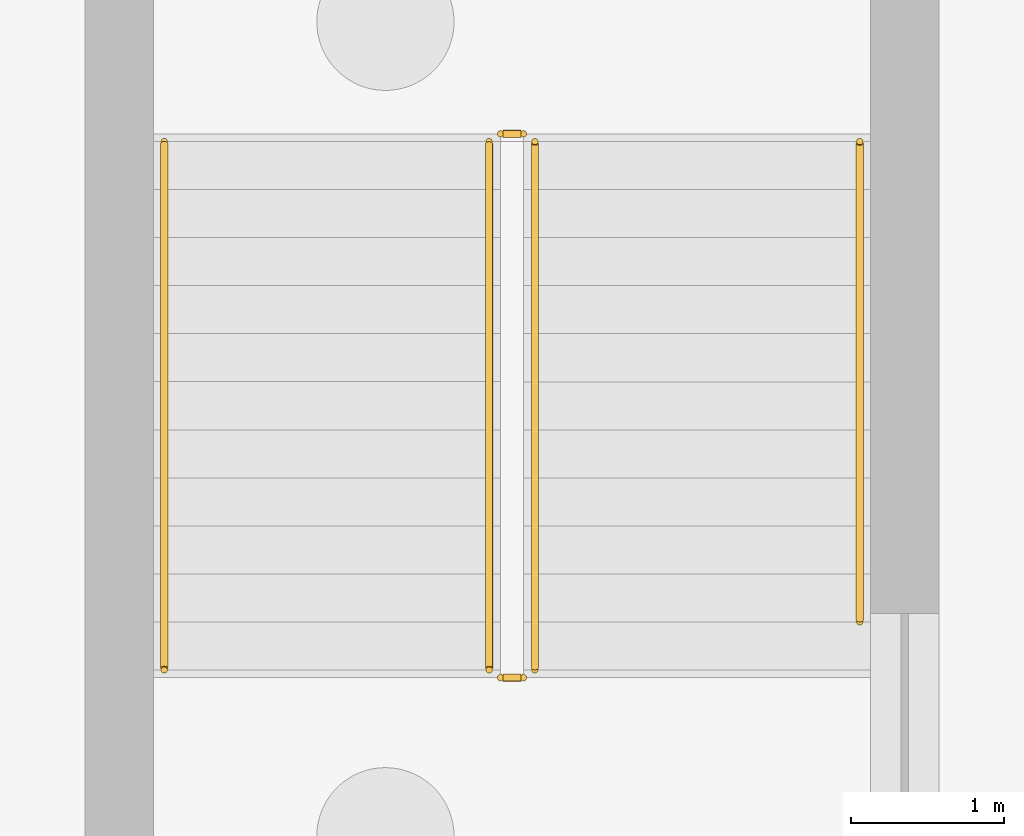
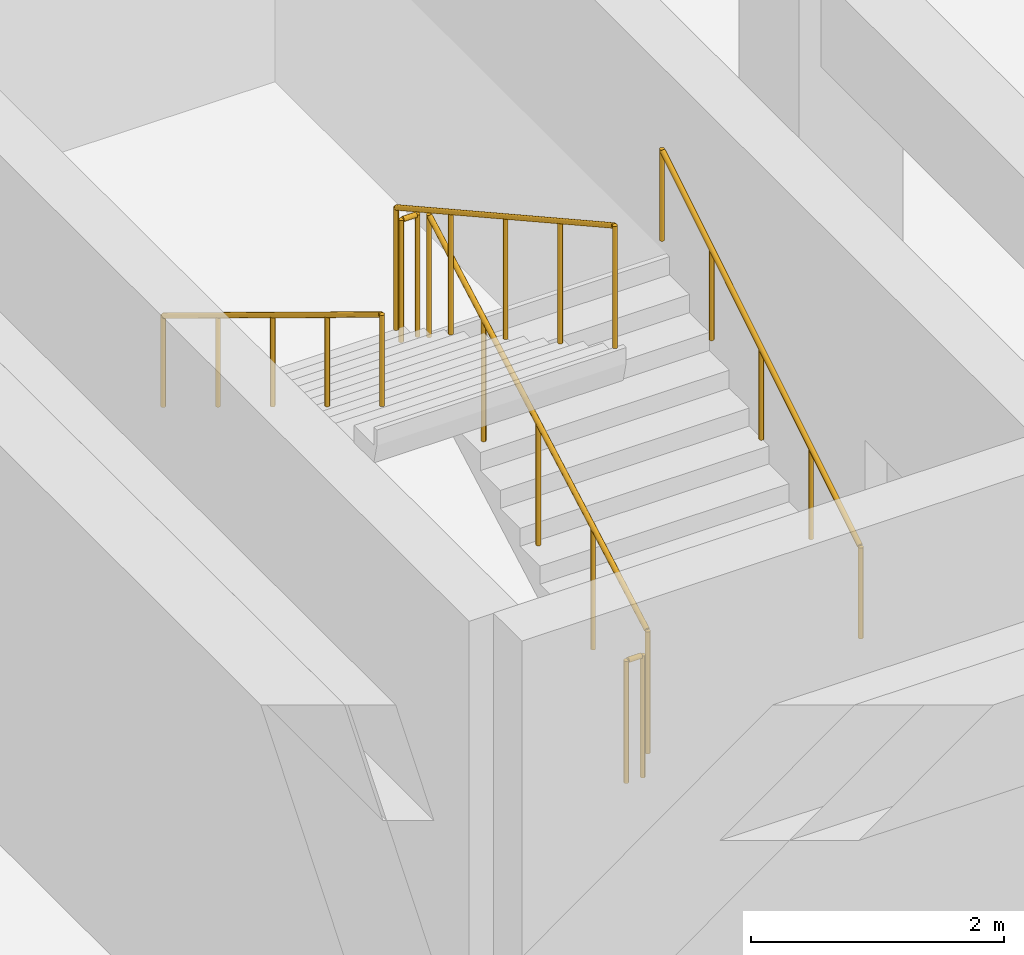
# One storey, part 26 of 39: 6 railings.
"""IFC4 building model written with IfcOpenShell, lengths in metres."""

from ifc_helpers import new_model, si_unit, direction, frame, origin, origin_2d, place, context, subcontext, project, spatial, circle, extrude, material, type_object, element, save


model = new_model("IFC4")

# Units and contexts
model_context = context("Model", 3, precision=1e-05, world=origin(), true_north=direction((0.0, 1.0)))
body_context = subcontext(model_context, "Body", "Model", "MODEL_VIEW")
ifc_project = project(units=[si_unit("LENGTHUNIT", "METRE"), si_unit("AREAUNIT", "SQUARE_METRE"), si_unit("VOLUMEUNIT", "CUBIC_METRE"), si_unit("PLANEANGLEUNIT", "RADIAN"), si_unit("MASSUNIT", "GRAM", prefix="KILO")], contexts=[model_context])

# Site, building, storey
site_placement = place(None, origin())
site = spatial("IfcSite", under=ifc_project, at=site_placement, CompositionType="ELEMENT")
building_placement = place(site_placement, origin())
building = spatial("IfcBuilding", under=site, at=building_placement, Name="Nakhvara Creek Congress Hotel", CompositionType="ELEMENT")
storey_placement = place(building_placement, frame((0.0, 0.0, -8.39990234375)))
storey = spatial("IfcBuildingStorey", under=building, at=storey_placement, Name="B2", CompositionType="ELEMENT", Elevation=-8.39990234375)

# Railings
ifc_material = material(Name="Brushed stainless steel 316L", Category="steel")
railing_type_1 = type_object("IfcRailingType", Name="RL-GUARD-1200", PredefinedType="GUARDRAIL", material=ifc_material)
railing_1_placement = place(storey_placement, frame((4.955078125, 38.679931640625, 0.1748046875)))
element("IfcRailing", 1, at=railing_1_placement, inside=storey, type_object=railing_type_1, Name="B2 ST05 stair guard 1", PredefinedType="GUARDRAIL", context=body_context, shape_type="SweptSolid", body=[
    extrude(circle(Radius=0.02392578125, at=origin_2d()), frame((0.0, 0.012939453125, 1.18310546875), z_axis=(0.0, 0.874157276122, 0.485642931179), x_axis=(-1.0, 0.0, 0.0)), (0.0, 0.0, 1.0), 3.9345703125),
    extrude(circle(Radius=0.02099609375, at=origin_2d()), origin(), (0.0, 0.0, 1.0), 1.1806640625),
    extrude(circle(Radius=0.02099609375, at=origin_2d()), frame((0.0, 0.8662109375, 0.481201171875)), (0.0, 0.0, 1.0), 1.1806640625),
    extrude(circle(Radius=0.02099609375, at=origin_2d()), frame((0.0, 1.732421875, 0.96240234375)), (0.0, 0.0, 1.0), 1.1806640625),
    extrude(circle(Radius=0.02099609375, at=origin_2d()), frame((0.0, 2.598876953125, 1.44384765625)), (0.0, 0.0, 1.0), 1.1806640625),
    extrude(circle(Radius=0.02099609375, at=origin_2d()), frame((0.0, 3.465087890625, 1.925048828125)), (0.0, 0.0, 1.0), 1.1806640625),
])
railing_2_placement = place(storey_placement, frame((4.8798828125, 42.195068359375, 2.099853515625)))
element("IfcRailing", 2, at=railing_2_placement, inside=storey, type_object=railing_type_1, Name="B2 ST05 stair guard 2", PredefinedType="GUARDRAIL", context=body_context, shape_type="SweptSolid", body=[
    extrude(circle(Radius=0.02392578125, at=origin_2d()), frame((-0.0146484375, 0.0, 1.17578125), z_axis=(-1.0, 0.0, 0.0), x_axis=(0.0, -1.0, 0.0)), (0.0, 0.0, 1.0), 0.12060546875),
    extrude(circle(Radius=0.02099609375, at=origin_2d()), origin(), (0.0, 0.0, 1.0), 1.1806640625),
    extrude(circle(Radius=0.02099609375, at=origin_2d()), frame((-0.14990234375, 0.0, 0.0)), (0.0, 0.0, 1.0), 1.1806640625),
])
railing_3_placement = place(storey_placement, frame((4.655029296875, 42.14501953125, 2.27490234375)))
element("IfcRailing", 3, at=railing_3_placement, inside=storey, type_object=railing_type_1, Name="B2 ST05 stair guard 3", PredefinedType="GUARDRAIL", context=body_context, shape_type="SweptSolid", body=[
    extrude(circle(Radius=0.02392578125, at=origin_2d()), frame((0.0, -0.012939453125, 1.18310546875), z_axis=(0.0, -0.874157276122, 0.485642931179), x_axis=(1.0, 0.0, 0.0)), (0.0, 0.0, 1.0), 3.9345703125),
    extrude(circle(Radius=0.02099609375, at=origin_2d()), origin(), (0.0, 0.0, 1.0), 1.1806640625),
    extrude(circle(Radius=0.02099609375, at=origin_2d()), frame((0.0, -0.8662109375, 0.481201171875)), (0.0, 0.0, 1.0), 1.1806640625),
    extrude(circle(Radius=0.02099609375, at=origin_2d()), frame((0.0, -1.732421875, 0.96240234375)), (0.0, 0.0, 1.0), 1.1806640625),
    extrude(circle(Radius=0.02099609375, at=origin_2d()), frame((0.0, -2.598876953125, 1.44384765625)), (0.0, 0.0, 1.0), 1.1806640625),
    extrude(circle(Radius=0.02099609375, at=origin_2d()), frame((0.0, -3.465087890625, 1.925048828125)), (0.0, 0.0, 1.0), 1.1806640625),
])
railing_4_placement = place(storey_placement, frame((4.8798828125, 38.6298828125, 0.0)))
element("IfcRailing", 4, at=railing_4_placement, inside=storey, type_object=railing_type_1, Name="B2 ST05 stair guard 4", PredefinedType="GUARDRAIL", context=body_context, shape_type="SweptSolid", body=[
    extrude(circle(Radius=0.02392578125, at=origin_2d()), frame((-0.0146484375, 0.0, 1.17578125), z_axis=(-1.0, 0.0, 0.0), x_axis=(0.0, -1.0, 0.0)), (0.0, 0.0, 1.0), 0.12060546875),
    extrude(circle(Radius=0.02099609375, at=origin_2d()), origin(), (0.0, 0.0, 1.0), 1.1806640625),
    extrude(circle(Radius=0.02099609375, at=origin_2d()), frame((-0.14990234375, 0.0, 0.0)), (0.0, 0.0, 1.0), 1.1806640625),
])
railing_type_2 = type_object("IfcRailingType", Name="RL-HAND-900", PredefinedType="HANDRAIL", material=ifc_material)
railing_5_placement = place(storey_placement, frame((7.0849609375, 38.9951171875, 0.349853515625)))
element("IfcRailing", 5, at=railing_5_placement, inside=storey, type_object=railing_type_2, Name="B2 ST05 stair handrail 1", PredefinedType="HANDRAIL", context=body_context, shape_type="SweptSolid", body=[
    extrude(circle(Radius=0.02392578125, at=origin_2d()), frame((0.0, 0.012451171875, 0.883544921875), z_axis=(0.0, 0.85194385619, 0.523633140567), x_axis=(-1.0, 0.0, 0.0)), (0.0, 0.0, 1.0), 3.66796875),
    extrude(circle(Radius=0.02099609375, at=origin_2d()), origin(), (0.0, 0.0, 1.0), 0.880615234375),
    extrude(circle(Radius=0.02099609375, at=origin_2d()), frame((0.0, 0.78759765625, 0.48388671875)), (0.0, 0.0, 1.0), 0.880615234375),
    extrude(circle(Radius=0.02099609375, at=origin_2d()), frame((0.0, 1.574951171875, 0.968017578125)), (0.0, 0.0, 1.0), 0.880615234375),
    extrude(circle(Radius=0.02099609375, at=origin_2d()), frame((0.0, 2.3623046875, 1.4521484375)), (0.0, 0.0, 1.0), 0.880615234375),
    extrude(circle(Radius=0.02099609375, at=origin_2d()), frame((0.0, 3.14990234375, 1.93603515625)), (0.0, 0.0, 1.0), 0.880615234375),
])
railing_6_placement = place(storey_placement, frame((2.52490234375, 42.14501953125, 2.27490234375)))
element("IfcRailing", 6, at=railing_6_placement, inside=storey, type_object=railing_type_2, Name="B2 ST05 stair handrail 2", PredefinedType="HANDRAIL", context=body_context, shape_type="SweptSolid", body=[
    extrude(circle(Radius=0.02392578125, at=origin_2d()), frame((0.0, -0.012451171875, 0.883544921875), z_axis=(0.0, -0.853990507121, 0.520288586985), x_axis=(1.0, 0.0, 0.0)), (0.0, 0.0, 1.0), 4.028076171875),
    extrude(circle(Radius=0.02099609375, at=origin_2d()), origin(), (0.0, 0.0, 1.0), 0.880615234375),
    extrude(circle(Radius=0.02099609375, at=origin_2d()), frame((0.0, -0.8662109375, 0.52783203125)), (0.0, 0.0, 1.0), 0.880615234375),
    extrude(circle(Radius=0.02099609375, at=origin_2d()), frame((0.0, -1.732421875, 1.0556640625)), (0.0, 0.0, 1.0), 0.880615234375),
    extrude(circle(Radius=0.02099609375, at=origin_2d()), frame((0.0, -2.598876953125, 1.583251953125)), (0.0, 0.0, 1.0), 0.880615234375),
    extrude(circle(Radius=0.02099609375, at=origin_2d()), frame((0.0, -3.465087890625, 2.111083984375)), (0.0, 0.0, 1.0), 0.880615234375),
])

save(model, "model.ifc")
